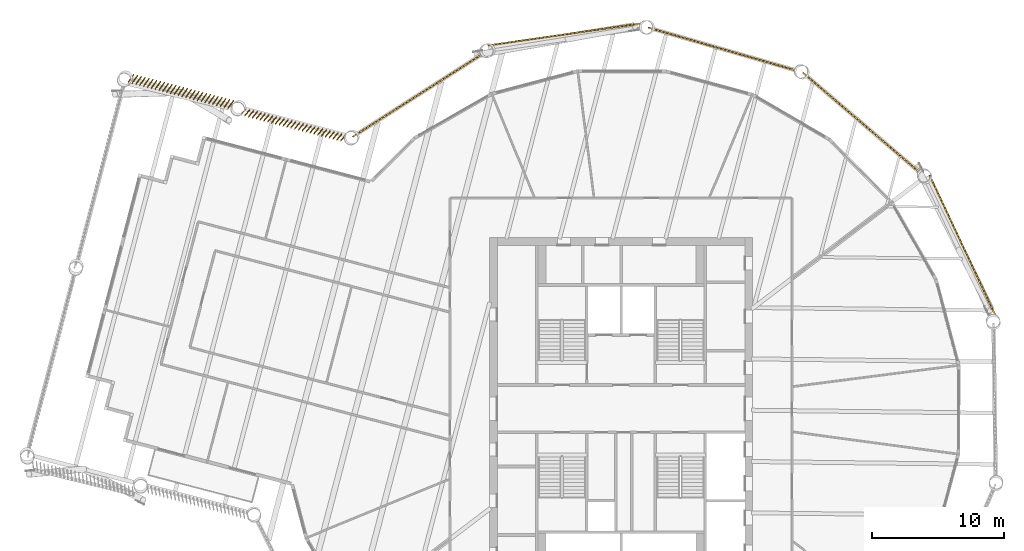
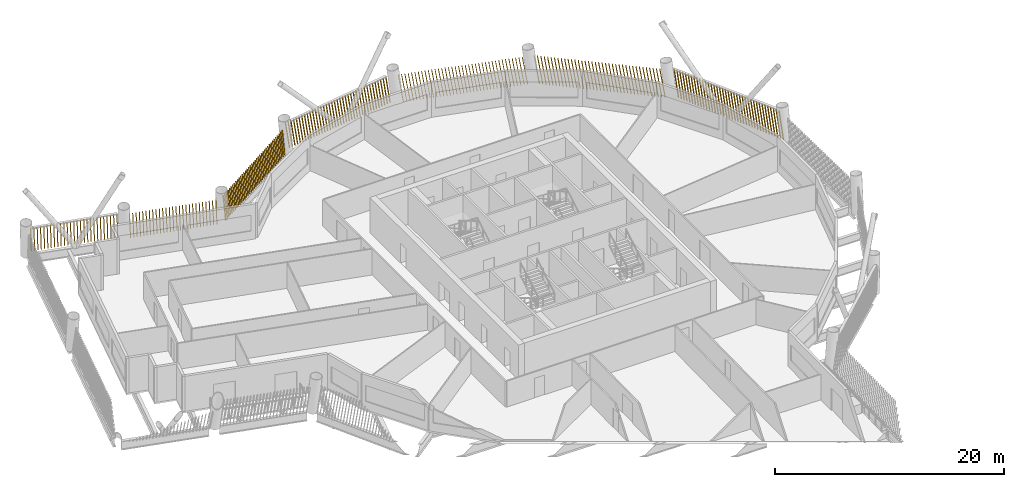
# One storey, part 20 of 21: 7 shading devices.
"""IFC4 building model written with IfcOpenShell, lengths in metres."""

from ifc_helpers import new_model, si_unit, direction, frame, frame_2d, origin, place, context, subcontext, project, spatial, rectangle, composite_profile, extrude, material, type_object, element, save


model = new_model("IFC4")

# Units and contexts
model_context = context("Model", 3, precision=1e-05, world=origin(), true_north=direction((0.0, 1.0)))
body_context = subcontext(model_context, "Body", "Model", "MODEL_VIEW")
ifc_project = project(units=[si_unit("LENGTHUNIT", "METRE"), si_unit("AREAUNIT", "SQUARE_METRE"), si_unit("VOLUMEUNIT", "CUBIC_METRE"), si_unit("PLANEANGLEUNIT", "RADIAN"), si_unit("MASSUNIT", "GRAM", prefix="KILO")], contexts=[model_context])

# Site, building, storey
site_placement = place(None, origin())
site = spatial("IfcSite", under=ifc_project, at=site_placement, CompositionType="ELEMENT")
building_placement = place(site_placement, origin())
building = spatial("IfcBuilding", under=site, at=building_placement, Name="Tarsis Ring Headquarters", CompositionType="ELEMENT")
storey_placement = place(building_placement, frame((0.0, 0.0, 223.800048828125)))
storey = spatial("IfcBuildingStorey", under=building, at=storey_placement, Name="L52", CompositionType="ELEMENT", Elevation=223.800048828125)

# Shading devices
ifc_material = material(Name="Terracotta baguette", Category="masonry")
shading_device_type = type_object("IfcShadingDeviceType", Name="Terracotta baguette screen", PredefinedType="USERDEFINED", material=ifc_material)
shading_device_1_placement = place(storey_placement, frame((28.43359375, 7.13525390625, 0.0), z_axis=(0.0, 0.0, 1.0), x_axis=(-0.424971785745, 0.905200104176, 0.0)))
element("IfcShadingDevice", 1, at=shading_device_1_placement, inside=storey, type_object=shading_device_type, Name="Baguette screen L52-10", ObjectType="Terracotta baguette screen", PredefinedType="USERDEFINED", context=body_context, shape_type="SweptSolid", body=[
    extrude(composite_profile([rectangle(XDim=0.06005859375, YDim=0.1201171875, at=frame_2d((0.030029296875, 0.0))), rectangle(XDim=0.06005859375, YDim=0.1201171875, at=frame_2d((0.33251953125, 0.0))), rectangle(XDim=0.06005859375, YDim=0.1201171875, at=frame_2d((0.634765625, 0.0))), rectangle(XDim=0.06005859375, YDim=0.1201171875, at=frame_2d((0.937255859375, 0.0))), rectangle(XDim=0.06005859375, YDim=0.1201171875, at=frame_2d((1.239501953125, 0.0))), rectangle(XDim=0.06005859375, YDim=0.1201171875, at=frame_2d((1.5419921875, 0.0))), rectangle(XDim=0.06005859375, YDim=0.1201171875, at=frame_2d((1.844482421875, 0.0))), rectangle(XDim=0.06005859375, YDim=0.1201171875, at=frame_2d((2.146728515625, 0.0))), rectangle(XDim=0.06005859375, YDim=0.1201171875, at=frame_2d((2.44921875, 0.0))), rectangle(XDim=0.06005859375, YDim=0.1201171875, at=frame_2d((2.751708984375, 0.0))), rectangle(XDim=0.06005859375, YDim=0.1201171875, at=frame_2d((3.053955078125, 0.0))), rectangle(XDim=0.06005859375, YDim=0.1201171875, at=frame_2d((3.3564453125, 0.0))), rectangle(XDim=0.06005859375, YDim=0.1201171875, at=frame_2d((3.65869140625, 0.0))), rectangle(XDim=0.06005859375, YDim=0.1201171875, at=frame_2d((3.961181640625, 0.0))), rectangle(XDim=0.06005859375, YDim=0.1201171875, at=frame_2d((4.263671875, 0.0))), rectangle(XDim=0.06005859375, YDim=0.1201171875, at=frame_2d((4.56591796875, 0.0))), rectangle(XDim=0.06005859375, YDim=0.1201171875, at=frame_2d((4.868408203125, 0.0))), rectangle(XDim=0.06005859375, YDim=0.1201171875, at=frame_2d((5.1708984375, 0.0))), rectangle(XDim=0.06005859375, YDim=0.1201171875, at=frame_2d((5.47314453125, 0.0))), rectangle(XDim=0.06005859375, YDim=0.1201171875, at=frame_2d((5.775634765625, 0.0))), rectangle(XDim=0.06005859375, YDim=0.1201171875, at=frame_2d((6.077880859375, 0.0))), rectangle(XDim=0.06005859375, YDim=0.1201171875, at=frame_2d((6.38037109375, 0.0))), rectangle(XDim=0.06005859375, YDim=0.1201171875, at=frame_2d((6.682861328125, 0.0))), rectangle(XDim=0.06005859375, YDim=0.1201171875, at=frame_2d((6.985107421875, 0.0))), rectangle(XDim=0.06005859375, YDim=0.1201171875, at=frame_2d((7.28759765625, 0.0))), rectangle(XDim=0.06005859375, YDim=0.1201171875, at=frame_2d((7.590087890625, 0.0))), rectangle(XDim=0.06005859375, YDim=0.1201171875, at=frame_2d((7.892333984375, 0.0))), rectangle(XDim=0.06005859375, YDim=0.1201171875, at=frame_2d((8.19482421875, 0.0))), rectangle(XDim=0.06005859375, YDim=0.1201171875, at=frame_2d((8.4970703125, 0.0))), rectangle(XDim=0.06005859375, YDim=0.1201171875, at=frame_2d((8.799560546875, 0.0))), rectangle(XDim=0.06005859375, YDim=0.1201171875, at=frame_2d((9.10205078125, 0.0))), rectangle(XDim=0.06005859375, YDim=0.1201171875, at=frame_2d((9.404296875, 0.0))), rectangle(XDim=0.06005859375, YDim=0.1201171875, at=frame_2d((9.706787109375, 0.0))), rectangle(XDim=0.06005859375, YDim=0.1201171875, at=frame_2d((10.00927734375, 0.0))), rectangle(XDim=0.06005859375, YDim=0.1201171875, at=frame_2d((10.3115234375, 0.0))), rectangle(XDim=0.06005859375, YDim=0.1201171875, at=frame_2d((10.614013671875, 0.0))), rectangle(XDim=0.06005859375, YDim=0.1201171875, at=frame_2d((10.916259765625, 0.0))), rectangle(XDim=0.06005859375, YDim=0.1201171875, at=frame_2d((11.21875, 0.0)))]), origin(), (0.161263675814, 0.001350328355, 0.986910433361), 2.989013671875),
])
shading_device_2_placement = place(storey_placement, frame((22.720947265625, 17.935791015625, 0.0), z_axis=(0.0, 0.0, 1.0), x_axis=(-0.760303852415, 0.649571351058, 0.0)))
element("IfcShadingDevice", 2, at=shading_device_2_placement, inside=storey, type_object=shading_device_type, Name="Baguette screen L52-11", ObjectType="Terracotta baguette screen", PredefinedType="USERDEFINED", context=body_context, shape_type="SweptSolid", body=[
    extrude(composite_profile([rectangle(XDim=0.06005859375, YDim=0.1201171875, at=frame_2d((0.030029296875, 0.0))), rectangle(XDim=0.06005859375, YDim=0.1201171875, at=frame_2d((0.33251953125, 0.0))), rectangle(XDim=0.06005859375, YDim=0.1201171875, at=frame_2d((0.634765625, 0.0))), rectangle(XDim=0.06005859375, YDim=0.1201171875, at=frame_2d((0.937255859375, 0.0))), rectangle(XDim=0.06005859375, YDim=0.1201171875, at=frame_2d((1.239501953125, 0.0))), rectangle(XDim=0.06005859375, YDim=0.1201171875, at=frame_2d((1.5419921875, 0.0))), rectangle(XDim=0.06005859375, YDim=0.1201171875, at=frame_2d((1.844482421875, 0.0))), rectangle(XDim=0.06005859375, YDim=0.1201171875, at=frame_2d((2.146728515625, 0.0))), rectangle(XDim=0.06005859375, YDim=0.1201171875, at=frame_2d((2.44921875, 0.0))), rectangle(XDim=0.06005859375, YDim=0.1201171875, at=frame_2d((2.751708984375, 0.0))), rectangle(XDim=0.06005859375, YDim=0.1201171875, at=frame_2d((3.053955078125, 0.0))), rectangle(XDim=0.06005859375, YDim=0.1201171875, at=frame_2d((3.3564453125, 0.0))), rectangle(XDim=0.06005859375, YDim=0.1201171875, at=frame_2d((3.65869140625, 0.0))), rectangle(XDim=0.06005859375, YDim=0.1201171875, at=frame_2d((3.961181640625, 0.0))), rectangle(XDim=0.06005859375, YDim=0.1201171875, at=frame_2d((4.263671875, 0.0))), rectangle(XDim=0.06005859375, YDim=0.1201171875, at=frame_2d((4.56591796875, 0.0))), rectangle(XDim=0.06005859375, YDim=0.1201171875, at=frame_2d((4.868408203125, 0.0))), rectangle(XDim=0.06005859375, YDim=0.1201171875, at=frame_2d((5.1708984375, 0.0))), rectangle(XDim=0.06005859375, YDim=0.1201171875, at=frame_2d((5.47314453125, 0.0))), rectangle(XDim=0.06005859375, YDim=0.1201171875, at=frame_2d((5.775634765625, 0.0))), rectangle(XDim=0.06005859375, YDim=0.1201171875, at=frame_2d((6.077880859375, 0.0))), rectangle(XDim=0.06005859375, YDim=0.1201171875, at=frame_2d((6.38037109375, 0.0))), rectangle(XDim=0.06005859375, YDim=0.1201171875, at=frame_2d((6.682861328125, 0.0))), rectangle(XDim=0.06005859375, YDim=0.1201171875, at=frame_2d((6.985107421875, 0.0))), rectangle(XDim=0.06005859375, YDim=0.1201171875, at=frame_2d((7.28759765625, 0.0))), rectangle(XDim=0.06005859375, YDim=0.1201171875, at=frame_2d((7.590087890625, 0.0))), rectangle(XDim=0.06005859375, YDim=0.1201171875, at=frame_2d((7.892333984375, 0.0))), rectangle(XDim=0.06005859375, YDim=0.1201171875, at=frame_2d((8.19482421875, 0.0))), rectangle(XDim=0.06005859375, YDim=0.1201171875, at=frame_2d((8.4970703125, 0.0))), rectangle(XDim=0.06005859375, YDim=0.1201171875, at=frame_2d((8.799560546875, 0.0))), rectangle(XDim=0.06005859375, YDim=0.1201171875, at=frame_2d((9.10205078125, 0.0))), rectangle(XDim=0.06005859375, YDim=0.1201171875, at=frame_2d((9.404296875, 0.0))), rectangle(XDim=0.06005859375, YDim=0.1201171875, at=frame_2d((9.706787109375, 0.0))), rectangle(XDim=0.06005859375, YDim=0.1201171875, at=frame_2d((10.00927734375, 0.0))), rectangle(XDim=0.06005859375, YDim=0.1201171875, at=frame_2d((10.3115234375, 0.0))), rectangle(XDim=0.06005859375, YDim=0.1201171875, at=frame_2d((10.614013671875, 0.0))), rectangle(XDim=0.06005859375, YDim=0.1201171875, at=frame_2d((10.916259765625, 0.0))), rectangle(XDim=0.06005859375, YDim=0.1201171875, at=frame_2d((11.21875, 0.0)))]), origin(), (0.159216885705, 0.00133501261, 0.98724272651), 2.988037109375),
])
shading_device_3_placement = place(storey_placement, frame((13.30810546875, 25.706787109375, 0.0), z_axis=(0.0, 0.0, 1.0), x_axis=(-0.960455778622, 0.278415626696, 0.0)))
element("IfcShadingDevice", 3, at=shading_device_3_placement, inside=storey, type_object=shading_device_type, Name="Baguette screen L52-12", ObjectType="Terracotta baguette screen", PredefinedType="USERDEFINED", context=body_context, shape_type="SweptSolid", body=[
    extrude(composite_profile([rectangle(XDim=0.06005859375, YDim=0.1201171875, at=frame_2d((0.030029296875, 0.0))), rectangle(XDim=0.06005859375, YDim=0.1201171875, at=frame_2d((0.33251953125, 0.0))), rectangle(XDim=0.06005859375, YDim=0.1201171875, at=frame_2d((0.634765625, 0.0))), rectangle(XDim=0.06005859375, YDim=0.1201171875, at=frame_2d((0.937255859375, 0.0))), rectangle(XDim=0.06005859375, YDim=0.1201171875, at=frame_2d((1.239501953125, 0.0))), rectangle(XDim=0.06005859375, YDim=0.1201171875, at=frame_2d((1.5419921875, 0.0))), rectangle(XDim=0.06005859375, YDim=0.1201171875, at=frame_2d((1.844482421875, 0.0))), rectangle(XDim=0.06005859375, YDim=0.1201171875, at=frame_2d((2.146728515625, 0.0))), rectangle(XDim=0.06005859375, YDim=0.1201171875, at=frame_2d((2.44921875, 0.0))), rectangle(XDim=0.06005859375, YDim=0.1201171875, at=frame_2d((2.751708984375, 0.0))), rectangle(XDim=0.06005859375, YDim=0.1201171875, at=frame_2d((3.053955078125, 0.0))), rectangle(XDim=0.06005859375, YDim=0.1201171875, at=frame_2d((3.3564453125, 0.0))), rectangle(XDim=0.06005859375, YDim=0.1201171875, at=frame_2d((3.65869140625, 0.0))), rectangle(XDim=0.06005859375, YDim=0.1201171875, at=frame_2d((3.961181640625, 0.0))), rectangle(XDim=0.06005859375, YDim=0.1201171875, at=frame_2d((4.263671875, 0.0))), rectangle(XDim=0.06005859375, YDim=0.1201171875, at=frame_2d((4.56591796875, 0.0))), rectangle(XDim=0.06005859375, YDim=0.1201171875, at=frame_2d((4.868408203125, 0.0))), rectangle(XDim=0.06005859375, YDim=0.1201171875, at=frame_2d((5.1708984375, 0.0))), rectangle(XDim=0.06005859375, YDim=0.1201171875, at=frame_2d((5.47314453125, 0.0))), rectangle(XDim=0.06005859375, YDim=0.1201171875, at=frame_2d((5.775634765625, 0.0))), rectangle(XDim=0.06005859375, YDim=0.1201171875, at=frame_2d((6.077880859375, 0.0))), rectangle(XDim=0.06005859375, YDim=0.1201171875, at=frame_2d((6.38037109375, 0.0))), rectangle(XDim=0.06005859375, YDim=0.1201171875, at=frame_2d((6.682861328125, 0.0))), rectangle(XDim=0.06005859375, YDim=0.1201171875, at=frame_2d((6.985107421875, 0.0))), rectangle(XDim=0.06005859375, YDim=0.1201171875, at=frame_2d((7.28759765625, 0.0))), rectangle(XDim=0.06005859375, YDim=0.1201171875, at=frame_2d((7.590087890625, 0.0))), rectangle(XDim=0.06005859375, YDim=0.1201171875, at=frame_2d((7.892333984375, 0.0))), rectangle(XDim=0.06005859375, YDim=0.1201171875, at=frame_2d((8.19482421875, 0.0))), rectangle(XDim=0.06005859375, YDim=0.1201171875, at=frame_2d((8.4970703125, 0.0))), rectangle(XDim=0.06005859375, YDim=0.1201171875, at=frame_2d((8.799560546875, 0.0))), rectangle(XDim=0.06005859375, YDim=0.1201171875, at=frame_2d((9.10205078125, 0.0))), rectangle(XDim=0.06005859375, YDim=0.1201171875, at=frame_2d((9.404296875, 0.0))), rectangle(XDim=0.06005859375, YDim=0.1201171875, at=frame_2d((9.706787109375, 0.0))), rectangle(XDim=0.06005859375, YDim=0.1201171875, at=frame_2d((10.00927734375, 0.0))), rectangle(XDim=0.06005859375, YDim=0.1201171875, at=frame_2d((10.3115234375, 0.0))), rectangle(XDim=0.06005859375, YDim=0.1201171875, at=frame_2d((10.614013671875, 0.0))), rectangle(XDim=0.06005859375, YDim=0.1201171875, at=frame_2d((10.916259765625, 0.0))), rectangle(XDim=0.06005859375, YDim=0.1201171875, at=frame_2d((11.21875, 0.0)))]), origin(), (0.159215489677, 0.001332664459, 0.987242954825), 2.988037109375),
])
shading_device_4_placement = place(storey_placement, frame((1.4755859375, 29.278076171875, 0.0), z_axis=(0.0, 0.0, 1.0), x_axis=(-0.989842647857, -0.142224633749, 0.0)))
element("IfcShadingDevice", 4, at=shading_device_4_placement, inside=storey, type_object=shading_device_type, Name="Baguette screen L52-13", ObjectType="Terracotta baguette screen", PredefinedType="USERDEFINED", context=body_context, shape_type="SweptSolid", body=[
    extrude(composite_profile([rectangle(XDim=0.06005859375, YDim=0.1201171875, at=frame_2d((0.030029296875, 0.0))), rectangle(XDim=0.06005859375, YDim=0.1201171875, at=frame_2d((0.33251953125, 0.0))), rectangle(XDim=0.06005859375, YDim=0.1201171875, at=frame_2d((0.634765625, 0.0))), rectangle(XDim=0.06005859375, YDim=0.1201171875, at=frame_2d((0.937255859375, 0.0))), rectangle(XDim=0.06005859375, YDim=0.1201171875, at=frame_2d((1.239501953125, 0.0))), rectangle(XDim=0.06005859375, YDim=0.1201171875, at=frame_2d((1.5419921875, 0.0))), rectangle(XDim=0.06005859375, YDim=0.1201171875, at=frame_2d((1.844482421875, 0.0))), rectangle(XDim=0.06005859375, YDim=0.1201171875, at=frame_2d((2.146728515625, 0.0))), rectangle(XDim=0.06005859375, YDim=0.1201171875, at=frame_2d((2.44921875, 0.0))), rectangle(XDim=0.06005859375, YDim=0.1201171875, at=frame_2d((2.751708984375, 0.0))), rectangle(XDim=0.06005859375, YDim=0.1201171875, at=frame_2d((3.053955078125, 0.0))), rectangle(XDim=0.06005859375, YDim=0.1201171875, at=frame_2d((3.3564453125, 0.0))), rectangle(XDim=0.06005859375, YDim=0.1201171875, at=frame_2d((3.65869140625, 0.0))), rectangle(XDim=0.06005859375, YDim=0.1201171875, at=frame_2d((3.961181640625, 0.0))), rectangle(XDim=0.06005859375, YDim=0.1201171875, at=frame_2d((4.263671875, 0.0))), rectangle(XDim=0.06005859375, YDim=0.1201171875, at=frame_2d((4.56591796875, 0.0))), rectangle(XDim=0.06005859375, YDim=0.1201171875, at=frame_2d((4.868408203125, 0.0))), rectangle(XDim=0.06005859375, YDim=0.1201171875, at=frame_2d((5.1708984375, 0.0))), rectangle(XDim=0.06005859375, YDim=0.1201171875, at=frame_2d((5.47314453125, 0.0))), rectangle(XDim=0.06005859375, YDim=0.1201171875, at=frame_2d((5.775634765625, 0.0))), rectangle(XDim=0.06005859375, YDim=0.1201171875, at=frame_2d((6.077880859375, 0.0))), rectangle(XDim=0.06005859375, YDim=0.1201171875, at=frame_2d((6.38037109375, 0.0))), rectangle(XDim=0.06005859375, YDim=0.1201171875, at=frame_2d((6.682861328125, 0.0))), rectangle(XDim=0.06005859375, YDim=0.1201171875, at=frame_2d((6.985107421875, 0.0))), rectangle(XDim=0.06005859375, YDim=0.1201171875, at=frame_2d((7.28759765625, 0.0))), rectangle(XDim=0.06005859375, YDim=0.1201171875, at=frame_2d((7.590087890625, 0.0))), rectangle(XDim=0.06005859375, YDim=0.1201171875, at=frame_2d((7.892333984375, 0.0))), rectangle(XDim=0.06005859375, YDim=0.1201171875, at=frame_2d((8.19482421875, 0.0))), rectangle(XDim=0.06005859375, YDim=0.1201171875, at=frame_2d((8.4970703125, 0.0))), rectangle(XDim=0.06005859375, YDim=0.1201171875, at=frame_2d((8.799560546875, 0.0))), rectangle(XDim=0.06005859375, YDim=0.1201171875, at=frame_2d((9.10205078125, 0.0))), rectangle(XDim=0.06005859375, YDim=0.1201171875, at=frame_2d((9.404296875, 0.0))), rectangle(XDim=0.06005859375, YDim=0.1201171875, at=frame_2d((9.706787109375, 0.0))), rectangle(XDim=0.06005859375, YDim=0.1201171875, at=frame_2d((10.00927734375, 0.0))), rectangle(XDim=0.06005859375, YDim=0.1201171875, at=frame_2d((10.3115234375, 0.0))), rectangle(XDim=0.06005859375, YDim=0.1201171875, at=frame_2d((10.614013671875, 0.0))), rectangle(XDim=0.06005859375, YDim=0.1201171875, at=frame_2d((10.916259765625, 0.0))), rectangle(XDim=0.06005859375, YDim=0.1201171875, at=frame_2d((11.21875, 0.0)))]), origin(), (0.16126609848, 0.001350130236, 0.986910037759), 2.989013671875),
])
shading_device_5_placement = place(storey_placement, frame((-10.522216796875, 26.967041015625, 0.0), z_axis=(0.0, 0.0, 1.0), x_axis=(-0.843212154097, -0.537580032556, 0.0)))
element("IfcShadingDevice", 5, at=shading_device_5_placement, inside=storey, type_object=shading_device_type, Name="Baguette screen L52-14", ObjectType="Terracotta baguette screen", PredefinedType="USERDEFINED", context=body_context, shape_type="SweptSolid", body=[
    extrude(composite_profile([rectangle(XDim=0.06005859375, YDim=0.1201171875, at=frame_2d((0.030029296875, 0.0))), rectangle(XDim=0.06005859375, YDim=0.1201171875, at=frame_2d((0.33251953125, 0.0))), rectangle(XDim=0.06005859375, YDim=0.1201171875, at=frame_2d((0.634765625, 0.0))), rectangle(XDim=0.06005859375, YDim=0.1201171875, at=frame_2d((0.937255859375, 0.0))), rectangle(XDim=0.06005859375, YDim=0.1201171875, at=frame_2d((1.239501953125, 0.0))), rectangle(XDim=0.06005859375, YDim=0.1201171875, at=frame_2d((1.5419921875, 0.0))), rectangle(XDim=0.06005859375, YDim=0.1201171875, at=frame_2d((1.844482421875, 0.0))), rectangle(XDim=0.06005859375, YDim=0.1201171875, at=frame_2d((2.146728515625, 0.0))), rectangle(XDim=0.06005859375, YDim=0.1201171875, at=frame_2d((2.44921875, 0.0))), rectangle(XDim=0.06005859375, YDim=0.1201171875, at=frame_2d((2.751708984375, 0.0))), rectangle(XDim=0.06005859375, YDim=0.1201171875, at=frame_2d((3.053955078125, 0.0))), rectangle(XDim=0.06005859375, YDim=0.1201171875, at=frame_2d((3.3564453125, 0.0))), rectangle(XDim=0.06005859375, YDim=0.1201171875, at=frame_2d((3.65869140625, 0.0))), rectangle(XDim=0.06005859375, YDim=0.1201171875, at=frame_2d((3.961181640625, 0.0))), rectangle(XDim=0.06005859375, YDim=0.1201171875, at=frame_2d((4.263671875, 0.0))), rectangle(XDim=0.06005859375, YDim=0.1201171875, at=frame_2d((4.56591796875, 0.0))), rectangle(XDim=0.06005859375, YDim=0.1201171875, at=frame_2d((4.868408203125, 0.0))), rectangle(XDim=0.06005859375, YDim=0.1201171875, at=frame_2d((5.1708984375, 0.0))), rectangle(XDim=0.06005859375, YDim=0.1201171875, at=frame_2d((5.47314453125, 0.0))), rectangle(XDim=0.06005859375, YDim=0.1201171875, at=frame_2d((5.775634765625, 0.0))), rectangle(XDim=0.06005859375, YDim=0.1201171875, at=frame_2d((6.077880859375, 0.0))), rectangle(XDim=0.06005859375, YDim=0.1201171875, at=frame_2d((6.38037109375, 0.0))), rectangle(XDim=0.06005859375, YDim=0.1201171875, at=frame_2d((6.682861328125, 0.0))), rectangle(XDim=0.06005859375, YDim=0.1201171875, at=frame_2d((6.985107421875, 0.0))), rectangle(XDim=0.06005859375, YDim=0.1201171875, at=frame_2d((7.28759765625, 0.0))), rectangle(XDim=0.06005859375, YDim=0.1201171875, at=frame_2d((7.590087890625, 0.0))), rectangle(XDim=0.06005859375, YDim=0.1201171875, at=frame_2d((7.892333984375, 0.0))), rectangle(XDim=0.06005859375, YDim=0.1201171875, at=frame_2d((8.19482421875, 0.0))), rectangle(XDim=0.06005859375, YDim=0.1201171875, at=frame_2d((8.4970703125, 0.0))), rectangle(XDim=0.06005859375, YDim=0.1201171875, at=frame_2d((8.799560546875, 0.0))), rectangle(XDim=0.06005859375, YDim=0.1201171875, at=frame_2d((9.10205078125, 0.0))), rectangle(XDim=0.06005859375, YDim=0.1201171875, at=frame_2d((9.404296875, 0.0))), rectangle(XDim=0.06005859375, YDim=0.1201171875, at=frame_2d((9.706787109375, 0.0))), rectangle(XDim=0.06005859375, YDim=0.1201171875, at=frame_2d((10.00927734375, 0.0))), rectangle(XDim=0.06005859375, YDim=0.1201171875, at=frame_2d((10.3115234375, 0.0))), rectangle(XDim=0.06005859375, YDim=0.1201171875, at=frame_2d((10.614013671875, 0.0))), rectangle(XDim=0.06005859375, YDim=0.1201171875, at=frame_2d((10.916259765625, 0.0))), rectangle(XDim=0.06005859375, YDim=0.1201171875, at=frame_2d((11.21875, 0.0)))]), origin(), (0.15921653924, 0.001332725606, 0.987242785476), 2.988037109375),
])
shading_device_6_placement = place(storey_placement, frame((-20.91259765625, 20.778076171875, 0.0), z_axis=(0.0, 0.0, 1.0), x_axis=(-0.967374177403, 0.253406247104, 0.0)))
element("IfcShadingDevice", 6, at=shading_device_6_placement, inside=storey, type_object=shading_device_type, Name="Baguette screen L52-15", ObjectType="Terracotta baguette screen", PredefinedType="USERDEFINED", context=body_context, shape_type="SweptSolid", body=[
    extrude(composite_profile([rectangle(XDim=0.06005859375, YDim=0.1201171875, at=frame_2d((0.030029296875, 0.0))), rectangle(XDim=0.06005859375, YDim=0.1201171875, at=frame_2d((0.33154296875, 0.0))), rectangle(XDim=0.06005859375, YDim=0.1201171875, at=frame_2d((0.63330078125, 0.0))), rectangle(XDim=0.06005859375, YDim=0.1201171875, at=frame_2d((0.934814453125, 0.0))), rectangle(XDim=0.06005859375, YDim=0.1201171875, at=frame_2d((1.236572265625, 0.0))), rectangle(XDim=0.06005859375, YDim=0.1201171875, at=frame_2d((1.5380859375, 0.0))), rectangle(XDim=0.06005859375, YDim=0.1201171875, at=frame_2d((1.83984375, 0.0))), rectangle(XDim=0.06005859375, YDim=0.1201171875, at=frame_2d((2.141357421875, 0.0))), rectangle(XDim=0.06005859375, YDim=0.1201171875, at=frame_2d((2.443115234375, 0.0))), rectangle(XDim=0.06005859375, YDim=0.1201171875, at=frame_2d((2.74462890625, 0.0))), rectangle(XDim=0.06005859375, YDim=0.1201171875, at=frame_2d((3.04638671875, 0.0))), rectangle(XDim=0.06005859375, YDim=0.1201171875, at=frame_2d((3.347900390625, 0.0))), rectangle(XDim=0.06005859375, YDim=0.1201171875, at=frame_2d((3.649658203125, 0.0))), rectangle(XDim=0.06005859375, YDim=0.1201171875, at=frame_2d((3.951171875, 0.0))), rectangle(XDim=0.06005859375, YDim=0.1201171875, at=frame_2d((4.252685546875, 0.0))), rectangle(XDim=0.06005859375, YDim=0.1201171875, at=frame_2d((4.554443359375, 0.0))), rectangle(XDim=0.06005859375, YDim=0.1201171875, at=frame_2d((4.85595703125, 0.0))), rectangle(XDim=0.06005859375, YDim=0.1201171875, at=frame_2d((5.15771484375, 0.0))), rectangle(XDim=0.06005859375, YDim=0.1201171875, at=frame_2d((5.459228515625, 0.0))), rectangle(XDim=0.06005859375, YDim=0.1201171875, at=frame_2d((5.760986328125, 0.0))), rectangle(XDim=0.06005859375, YDim=0.1201171875, at=frame_2d((6.0625, 0.0))), rectangle(XDim=0.06005859375, YDim=0.1201171875, at=frame_2d((6.3642578125, 0.0))), rectangle(XDim=0.06005859375, YDim=0.1201171875, at=frame_2d((6.665771484375, 0.0))), rectangle(XDim=0.06005859375, YDim=0.1201171875, at=frame_2d((6.967529296875, 0.0))), rectangle(XDim=0.06005859375, YDim=0.1201171875, at=frame_2d((7.26904296875, 0.0))), rectangle(XDim=0.06005859375, YDim=0.1201171875, at=frame_2d((7.57080078125, 0.0))), rectangle(XDim=0.06005859375, YDim=0.1201171875, at=frame_2d((7.872314453125, 0.0)))]), origin(), (0.081249114618, 0.165081332426, 0.982927634701), 3.001220703125),
])
shading_device_7_placement = place(storey_placement, frame((-29.42919921875, 23.396728515625, 0.0), z_axis=(0.0, 0.0, 1.0), x_axis=(-0.967344290657, 0.253429312902, 0.0)))
element("IfcShadingDevice", 7, at=shading_device_7_placement, inside=storey, type_object=shading_device_type, Name="Baguette screen L52-16", ObjectType="Terracotta baguette screen", PredefinedType="USERDEFINED", context=body_context, shape_type="SweptSolid", body=[
    extrude(composite_profile([rectangle(XDim=0.06005859375, YDim=0.1201171875, at=frame_2d((0.030029296875, 0.0))), rectangle(XDim=0.06005859375, YDim=0.1201171875, at=frame_2d((0.33154296875, 0.0))), rectangle(XDim=0.06005859375, YDim=0.1201171875, at=frame_2d((0.63330078125, 0.0))), rectangle(XDim=0.06005859375, YDim=0.1201171875, at=frame_2d((0.934814453125, 0.0))), rectangle(XDim=0.06005859375, YDim=0.1201171875, at=frame_2d((1.236572265625, 0.0))), rectangle(XDim=0.06005859375, YDim=0.1201171875, at=frame_2d((1.5380859375, 0.0))), rectangle(XDim=0.06005859375, YDim=0.1201171875, at=frame_2d((1.83984375, 0.0))), rectangle(XDim=0.06005859375, YDim=0.1201171875, at=frame_2d((2.141357421875, 0.0))), rectangle(XDim=0.06005859375, YDim=0.1201171875, at=frame_2d((2.443115234375, 0.0))), rectangle(XDim=0.06005859375, YDim=0.1201171875, at=frame_2d((2.74462890625, 0.0))), rectangle(XDim=0.06005859375, YDim=0.1201171875, at=frame_2d((3.04638671875, 0.0))), rectangle(XDim=0.06005859375, YDim=0.1201171875, at=frame_2d((3.347900390625, 0.0))), rectangle(XDim=0.06005859375, YDim=0.1201171875, at=frame_2d((3.649658203125, 0.0))), rectangle(XDim=0.06005859375, YDim=0.1201171875, at=frame_2d((3.951171875, 0.0))), rectangle(XDim=0.06005859375, YDim=0.1201171875, at=frame_2d((4.252685546875, 0.0))), rectangle(XDim=0.06005859375, YDim=0.1201171875, at=frame_2d((4.554443359375, 0.0))), rectangle(XDim=0.06005859375, YDim=0.1201171875, at=frame_2d((4.85595703125, 0.0))), rectangle(XDim=0.06005859375, YDim=0.1201171875, at=frame_2d((5.15771484375, 0.0))), rectangle(XDim=0.06005859375, YDim=0.1201171875, at=frame_2d((5.459228515625, 0.0))), rectangle(XDim=0.06005859375, YDim=0.1201171875, at=frame_2d((5.760986328125, 0.0))), rectangle(XDim=0.06005859375, YDim=0.1201171875, at=frame_2d((6.0625, 0.0))), rectangle(XDim=0.06005859375, YDim=0.1201171875, at=frame_2d((6.3642578125, 0.0))), rectangle(XDim=0.06005859375, YDim=0.1201171875, at=frame_2d((6.665771484375, 0.0))), rectangle(XDim=0.06005859375, YDim=0.1201171875, at=frame_2d((6.967529296875, 0.0))), rectangle(XDim=0.06005859375, YDim=0.1201171875, at=frame_2d((7.26904296875, 0.0))), rectangle(XDim=0.06005859375, YDim=0.1201171875, at=frame_2d((7.57080078125, 0.0))), rectangle(XDim=0.06005859375, YDim=0.1201171875, at=frame_2d((7.872314453125, 0.0)))]), origin(), (0.082135615479, 0.212765977736, 0.973644893885), 3.02978515625),
])

save(model, "model.ifc")
